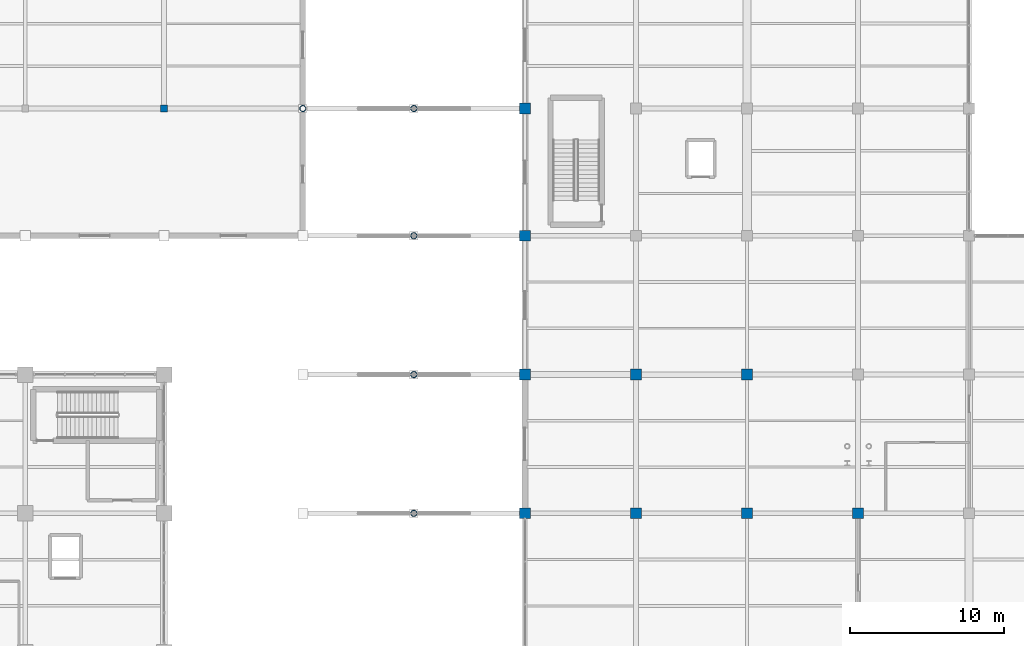
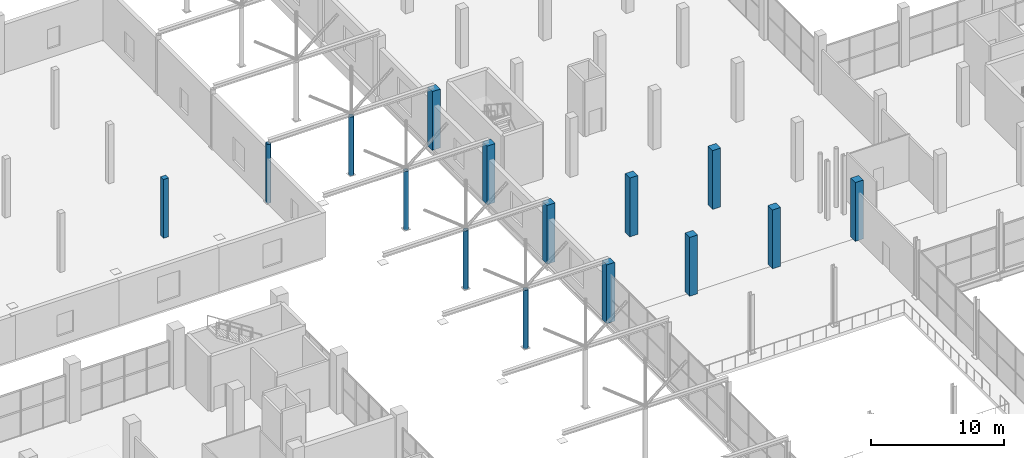
# One storey, part 6 of 147: 15 columns.
"""IFC4 building model written with IfcOpenShell, lengths in metres."""

from ifc_helpers import new_model, si_unit, direction, frame, origin, origin_2d, place, context, subcontext, project, spatial, rectangle, hollow_circle, extrude, material, material_profile, profile_set, type_object, element, save


model = new_model("IFC4")

# Units and contexts
model_context = context("Model", 3, precision=1e-05, world=origin(), true_north=direction((0.0, 1.0)))
body_context = subcontext(model_context, "Body", "Model", "MODEL_VIEW")
ifc_project = project(units=[si_unit("LENGTHUNIT", "METRE"), si_unit("AREAUNIT", "SQUARE_METRE"), si_unit("VOLUMEUNIT", "CUBIC_METRE"), si_unit("PLANEANGLEUNIT", "RADIAN"), si_unit("MASSUNIT", "GRAM", prefix="KILO")], contexts=[model_context])

# Site, building, storey
site_placement = place(None, origin())
site = spatial("IfcSite", under=ifc_project, at=site_placement, CompositionType="ELEMENT")
building_placement = place(site_placement, origin())
building = spatial("IfcBuilding", under=site, at=building_placement, Name="Sundgate Opera House", CompositionType="ELEMENT")
storey_placement = place(building_placement, frame((0.0, 0.0, 6.0)))
storey = spatial("IfcBuildingStorey", under=building, at=storey_placement, Name="L01", CompositionType="ELEMENT", Elevation=6.0)

# Columns
ifc_material_1 = material(Name="Steel S355ML", Category="steel")
ifc_material_profile_1 = material_profile(ifc_material_1, hollow_circle(Radius=0.203125, WallThickness=0.02001953125, at=origin_2d()), Name="CHS 406.4x20.0")
ifc_profile_set_1 = profile_set([ifc_material_profile_1], Name="Steel S355ML")
column_type_1 = type_object("IfcColumnType", Name="CL-CHS-406", PredefinedType="COLUMN", material=ifc_profile_set_1)
for number, where, z_axis, x_axis, name in (
    (1, (81.0, 95.25, 0.0), (0.0, 0.0, 1.0), (1.0, 0.0, 0.0), "L01 Column C0570"),
    (2, (88.199951171875, 69.0, 0.0), (0.0, 0.0, 1.0), (1.0, 0.0, 0.0), "L01 Column C0606"),
    (3, (88.199951171875, 78.0, 0.0), (0.0, 0.0, 1.0), (1.0, 0.0, 0.0), "L01 Column C0609"),
    (4, (88.199951171875, 87.0, 0.0), (0.0, 0.0, 1.0), (1.0, 0.0, 0.0), "L01 Column C0612"),
    (5, (88.199951171875, 95.25, 0.0), (0.0, 0.0, 1.0), (1.0, 0.0, 0.0), "L01 Column C0615"),
):
    element("IfcColumn", number, at=place(storey_placement, frame(where, z_axis=z_axis, x_axis=x_axis)), inside=storey, type_object=column_type_1, Name=name, PredefinedType="COLUMN", context=body_context, shape_type="SweptSolid", body=[
        extrude(hollow_circle(Radius=0.203125, WallThickness=0.02001953125, at=origin_2d()), origin(), (0.0, 0.0, 1.0), 5.39990234375),
    ])
ifc_material_2 = material(Name="Concrete C35/45", Category="concrete")
ifc_material_profile_2 = material_profile(ifc_material_2, rectangle(XDim=0.449951171875, YDim=0.449951171875, at=origin_2d()), Name="RC 450x450")
ifc_profile_set_2 = profile_set([ifc_material_profile_2], Name="Concrete C35/45")
column_type_2 = type_object("IfcColumnType", Name="CL-RC-450", PredefinedType="COLUMN", material=ifc_profile_set_2)
column_placement = place(storey_placement, frame((72.0, 95.25, 0.0), z_axis=(0.0, 0.0, 1.0), x_axis=(1.0, 0.0, 0.0)))
element("IfcColumn", 6, at=column_placement, inside=storey, type_object=column_type_2, Name="L01 Column C0507", PredefinedType="COLUMN", context=body_context, shape_type="SweptSolid", body=[
    extrude(rectangle(XDim=0.449951171875, YDim=0.449951171875, at=origin_2d()), origin(), (0.0, 0.0, 1.0), 5.39990234375),
])
ifc_material_3 = material(Name="Concrete C40/50", Category="concrete")
ifc_material_profile_3 = material_profile(ifc_material_3, rectangle(XDim=0.699951171875, YDim=0.699951171875, at=origin_2d()), Name="RC 700x700")
ifc_profile_set_3 = profile_set([ifc_material_profile_3], Name="Concrete C40/50")
column_type_3 = type_object("IfcColumnType", Name="CL-RC-700", PredefinedType="COLUMN", material=ifc_profile_set_3)
for number, where, z_axis, x_axis, name in (
    (7, (95.39990234375, 69.0, 0.0), (0.0, 0.0, 1.0), (1.0, 0.0, 0.0), "L01 Column C0658"),
    (8, (95.39990234375, 78.0, 0.0), (0.0, 0.0, 1.0), (1.0, 0.0, 0.0), "L01 Column C0664"),
    (9, (95.39990234375, 87.0, 0.0), (0.0, 0.0, 1.0), (1.0, 0.0, 0.0), "L01 Column C0670"),
    (10, (95.39990234375, 95.25, 0.0), (0.0, 0.0, 1.0), (1.0, 0.0, 0.0), "L01 Column C0676"),
    (11, (102.60009765625, 69.0, 0.0), (0.0, 0.0, 1.0), (1.0, 0.0, 0.0), "L01 Column C0722"),
    (12, (102.60009765625, 78.0, 0.0), (0.0, 0.0, 1.0), (1.0, 0.0, 0.0), "L01 Column C0728"),
    (13, (109.800048828125, 69.0, 0.0), (0.0, 0.0, 1.0), (1.0, 0.0, 0.0), "L01 Column C0786"),
    (14, (109.800048828125, 78.0, 0.0), (0.0, 0.0, 1.0), (1.0, 0.0, 0.0), "L01 Column C0792"),
    (15, (117.0, 69.0, 0.0), (0.0, 0.0, 1.0), (1.0, 0.0, 0.0), "L01 Column C0850"),
):
    element("IfcColumn", number, at=place(storey_placement, frame(where, z_axis=z_axis, x_axis=x_axis)), inside=storey, type_object=column_type_3, Name=name, PredefinedType="COLUMN", context=body_context, shape_type="SweptSolid", body=[
        extrude(rectangle(XDim=0.699951171875, YDim=0.699951171875, at=origin_2d()), origin(), (0.0, 0.0, 1.0), 5.39990234375),
    ])

save(model, "model.ifc")
